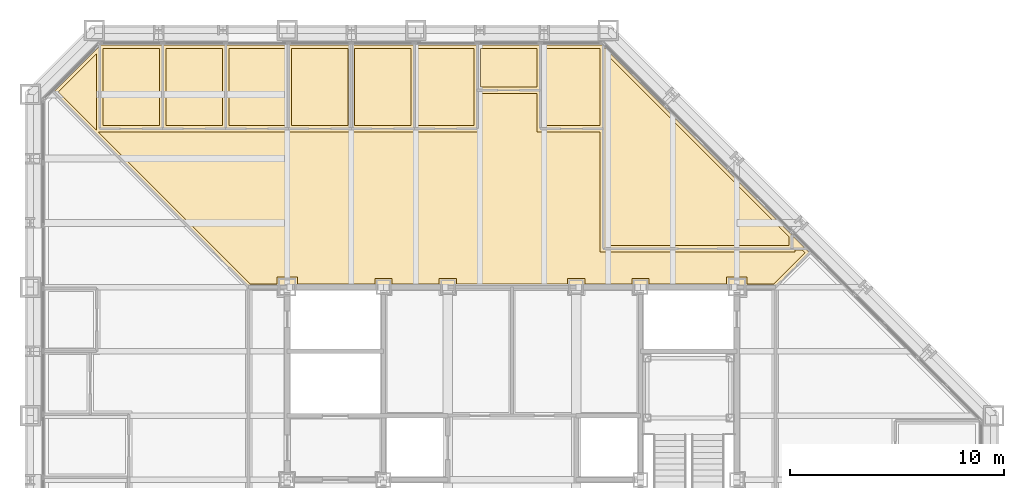
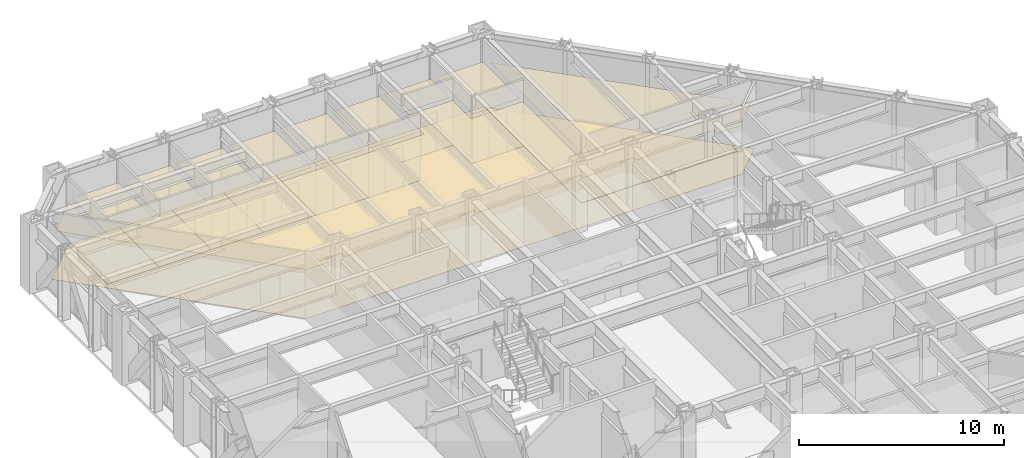
# One storey, part 17 of 17: 21 coverings.
"""IFC4 building model written with IfcOpenShell, lengths in metres."""

from ifc_helpers import new_model, si_unit, direction, frame, origin, place, context, subcontext, project, spatial, polyline, outline, extrude, material, layer, layer_set, type_object, element, save


model = new_model("IFC4")

# Units and contexts
model_context = context("Model", 3, precision=1e-05, world=origin(), true_north=direction((0.0, 1.0)))
body_context = subcontext(model_context, "Body", "Model", "MODEL_VIEW")
ifc_project = project(units=[si_unit("LENGTHUNIT", "METRE"), si_unit("AREAUNIT", "SQUARE_METRE"), si_unit("VOLUMEUNIT", "CUBIC_METRE"), si_unit("PLANEANGLEUNIT", "RADIAN"), si_unit("MASSUNIT", "GRAM", prefix="KILO")], contexts=[model_context])

# Site, building, storey
site_placement = place(None, origin())
site = spatial("IfcSite", under=ifc_project, at=site_placement, CompositionType="ELEMENT")
building_placement = place(site_placement, origin())
building = spatial("IfcBuilding", under=site, at=building_placement, Name="Chuquiago Exchange Tower", CompositionType="ELEMENT")
storey_placement = place(building_placement, frame((0.0, 0.0, 132.0)))
storey = spatial("IfcBuildingStorey", under=building, at=storey_placement, Name="L28", CompositionType="ELEMENT", Elevation=132.0)

# Coverings
ifc_material_1 = material(Name="Mineral fibre tile, 600 x 600, on pale metal grid", Category="mineral fibre")
ifc_layer_1 = layer(ifc_material_1, 0.02001953125)
ifc_layer_set_1 = layer_set([ifc_layer_1], Name="CL1 suspended tile ceiling 20")
covering_type_1 = type_object("IfcCoveringType", Name="CL1 suspended tile ceiling 20", PredefinedType="CEILING", material=ifc_layer_set_1)
covering_1_placement = place(storey_placement, frame((0.0, 0.0, 2.800048828125)))
element("IfcCovering", 1, at=covering_1_placement, inside=storey, type_object=covering_type_1, Name="Ceiling Compliance office", PredefinedType="CEILING", context=body_context, shape_type="SweptSolid", body=[
    extrude(outline(polyline([(6.036376953125, 44.14990234375), (6.036376953125, 40.550048828125), (3.3984375, 40.550048828125), (3.3984375, 44.14990234375), (6.036376953125, 44.14990234375)])), origin(), (0.0, 0.0, 1.0), 0.02001953125),
])
covering_2_placement = place(storey_placement, frame((0.0, 0.0, 2.800048828125)))
element("IfcCovering", 2, at=covering_2_placement, inside=storey, type_object=covering_type_1, Name="Ceiling Compliance office", PredefinedType="CEILING", context=body_context, shape_type="SweptSolid", body=[
    extrude(outline(polyline([(8.974365234375, 40.550048828125), (6.33642578125, 40.550048828125), (6.33642578125, 44.14990234375), (8.974365234375, 44.14990234375), (8.974365234375, 40.550048828125)])), origin(), (0.0, 0.0, 1.0), 0.02001953125),
])
covering_3_placement = place(storey_placement, frame((0.0, 0.0, 2.800048828125)))
element("IfcCovering", 3, at=covering_3_placement, inside=storey, type_object=covering_type_1, Name="Ceiling Compliance office", PredefinedType="CEILING", context=body_context, shape_type="SweptSolid", body=[
    extrude(outline(polyline([(11.912109375, 40.550048828125), (9.2744140625, 40.550048828125), (9.2744140625, 44.14990234375), (11.912109375, 44.14990234375), (11.912109375, 40.550048828125)])), origin(), (0.0, 0.0, 1.0), 0.02001953125),
])
covering_4_placement = place(storey_placement, frame((0.0, 0.0, 2.800048828125)))
element("IfcCovering", 4, at=covering_4_placement, inside=storey, type_object=covering_type_1, Name="Ceiling Office", PredefinedType="CEILING", context=body_context, shape_type="SweptSolid", body=[
    extrude(outline(polyline([(14.85009765625, 40.550048828125), (12.212158203125, 40.550048828125), (12.212158203125, 44.14990234375), (14.85009765625, 44.14990234375), (14.85009765625, 40.550048828125)])), origin(), (0.0, 0.0, 1.0), 0.02001953125),
])
covering_5_placement = place(storey_placement, frame((0.0, 0.0, 2.800048828125)))
element("IfcCovering", 5, at=covering_5_placement, inside=storey, type_object=covering_type_1, Name="Ceiling Office", PredefinedType="CEILING", context=body_context, shape_type="SweptSolid", body=[
    extrude(outline(polyline([(17.787841796875, 40.550048828125), (15.14990234375, 40.550048828125), (15.14990234375, 44.14990234375), (17.787841796875, 44.14990234375), (17.787841796875, 40.550048828125)])), origin(), (0.0, 0.0, 1.0), 0.02001953125),
])
covering_6_placement = place(storey_placement, frame((0.0, 0.0, 2.800048828125)))
element("IfcCovering", 6, at=covering_6_placement, inside=storey, type_object=covering_type_1, Name="Ceiling Meeting room", PredefinedType="CEILING", context=body_context, shape_type="SweptSolid", body=[
    extrude(outline(polyline([(20.7255859375, 40.550048828125), (18.087890625, 40.550048828125), (18.087890625, 44.14990234375), (20.7255859375, 44.14990234375), (20.7255859375, 40.550048828125)])), origin(), (0.0, 0.0, 1.0), 0.02001953125),
])
covering_7_placement = place(storey_placement, frame((0.0, 0.0, 2.800048828125)))
element("IfcCovering", 7, at=covering_7_placement, inside=storey, type_object=covering_type_1, Name="Ceiling Focus room", PredefinedType="CEILING", context=body_context, shape_type="SweptSolid", body=[
    extrude(outline(polyline([(23.66357421875, 42.35009765625), (21.025634765625, 42.35009765625), (21.025634765625, 44.14990234375), (23.66357421875, 44.14990234375), (23.66357421875, 42.35009765625)])), origin(), (0.0, 0.0, 1.0), 0.02001953125),
])
covering_8_placement = place(storey_placement, frame((0.0, 0.0, 2.800048828125)))
element("IfcCovering", 8, at=covering_8_placement, inside=storey, type_object=covering_type_1, Name="Ceiling Meeting room", PredefinedType="CEILING", context=body_context, shape_type="SweptSolid", body=[
    extrude(outline(polyline([(26.6015625, 40.550048828125), (23.963623046875, 40.550048828125), (23.963623046875, 44.14990234375), (26.6015625, 44.14990234375), (26.6015625, 40.550048828125)])), origin(), (0.0, 0.0, 1.0), 0.02001953125),
])
covering_9_placement = place(storey_placement, frame((0.0, 0.0, 2.800048828125)))
element("IfcCovering", 9, at=covering_9_placement, inside=storey, type_object=covering_type_1, Name="Ceiling Boardroom", PredefinedType="CEILING", context=body_context, shape_type="SweptSolid", body=[
    extrude(outline(polyline([(35.42578125, 34.949951171875), (26.901611328125, 34.949951171875), (26.901611328125, 43.896484375), (35.42578125, 35.372314453125), (35.42578125, 34.949951171875)])), origin(), (0.0, 0.0, 1.0), 0.02001953125),
])
covering_10_placement = place(storey_placement, frame((0.0, 0.0, 2.800048828125)))
element("IfcCovering", 10, at=covering_10_placement, inside=storey, type_object=covering_type_1, Name="Ceiling Open office north", PredefinedType="CEILING", context=body_context, shape_type="SweptSolid", body=[
    extrude(outline(polyline([(21.025634765625, 40.25), (21.025634765625, 42.050048828125), (23.66357421875, 42.050048828125), (23.66357421875, 40.25), (26.6015625, 40.25), (26.6015625, 34.64990234375), (35.7255859375, 34.64990234375), (35.7255859375, 34.72998046875), (36.068115234375, 34.72998046875), (36.192626953125, 34.60546875), (34.7373046875, 33.14990234375), (33.47509765625, 33.14990234375), (33.47509765625, 33.47509765625), (32.52490234375, 33.47509765625), (32.52490234375, 33.14990234375), (28.89990234375, 33.14990234375), (28.89990234375, 33.39990234375), (28.10009765625, 33.39990234375), (28.10009765625, 33.14990234375), (25.89990234375, 33.14990234375), (25.89990234375, 33.39990234375), (25.10009765625, 33.39990234375), (25.10009765625, 33.14990234375), (19.89990234375, 33.14990234375), (19.89990234375, 33.39990234375), (19.10009765625, 33.39990234375), (19.10009765625, 33.14990234375), (16.89990234375, 33.14990234375), (16.89990234375, 33.39990234375), (16.10009765625, 33.39990234375), (16.10009765625, 33.14990234375), (12.47509765625, 33.14990234375), (12.47509765625, 33.47509765625), (11.52490234375, 33.47509765625), (11.52490234375, 33.14990234375), (10.2626953125, 33.14990234375), (3.162841796875, 40.25), (21.025634765625, 40.25)])), origin(), (0.0, 0.0, 1.0), 0.02001953125),
])
covering_11_placement = place(storey_placement, frame((0.0, 0.0, 2.800048828125)))
element("IfcCovering", 11, at=covering_11_placement, inside=storey, type_object=covering_type_1, Name="Ceiling Open office north", PredefinedType="CEILING", context=body_context, shape_type="SweptSolid", body=[
    extrude(outline(polyline([(1.307373046875, 42.10546875), (3.098388671875, 43.896484375), (3.098388671875, 40.314208984375), (1.307373046875, 42.10546875)])), origin(), (0.0, 0.0, 1.0), 0.02001953125),
])
ifc_material_2 = material(Name="Carpet tile, 500 x 500, on the floor slab", Category="textile")
ifc_layer_2 = layer(ifc_material_2, 0.010009765625)
ifc_layer_set_2 = layer_set([ifc_layer_2], Name="FL1 carpet tile 10")
covering_type_2 = type_object("IfcCoveringType", Name="FL1 carpet tile 10", PredefinedType="FLOORING", material=ifc_layer_set_2)
covering_12_placement = place(storey_placement, origin())
element("IfcCovering", 12, at=covering_12_placement, inside=storey, type_object=covering_type_2, Name="Floor finish Compliance office", PredefinedType="FLOORING", context=body_context, shape_type="SweptSolid", body=[
    extrude(outline(polyline([(3.289794921875, 44.300048828125), (6.186279296875, 44.300048828125), (6.186279296875, 40.39990234375), (3.24853515625, 40.39990234375), (3.24853515625, 44.258544921875), (3.289794921875, 44.300048828125)])), origin(), (0.0, 0.0, 1.0), 0.010009765625),
])
covering_13_placement = place(storey_placement, origin())
element("IfcCovering", 13, at=covering_13_placement, inside=storey, type_object=covering_type_2, Name="Floor finish Compliance office", PredefinedType="FLOORING", context=body_context, shape_type="SweptSolid", body=[
    extrude(outline(polyline([(9.124267578125, 44.300048828125), (9.124267578125, 40.39990234375), (6.186279296875, 40.39990234375), (6.186279296875, 44.300048828125), (9.124267578125, 44.300048828125)])), origin(), (0.0, 0.0, 1.0), 0.010009765625),
])
covering_14_placement = place(storey_placement, origin())
element("IfcCovering", 14, at=covering_14_placement, inside=storey, type_object=covering_type_2, Name="Floor finish Compliance office", PredefinedType="FLOORING", context=body_context, shape_type="SweptSolid", body=[
    extrude(outline(polyline([(12.06201171875, 44.300048828125), (12.06201171875, 40.39990234375), (9.124267578125, 40.39990234375), (9.124267578125, 44.300048828125), (12.06201171875, 44.300048828125)])), origin(), (0.0, 0.0, 1.0), 0.010009765625),
])
covering_15_placement = place(storey_placement, origin())
element("IfcCovering", 15, at=covering_15_placement, inside=storey, type_object=covering_type_2, Name="Floor finish Office", PredefinedType="FLOORING", context=body_context, shape_type="SweptSolid", body=[
    extrude(outline(polyline([(15.0, 44.300048828125), (15.0, 40.39990234375), (12.06201171875, 40.39990234375), (12.06201171875, 44.300048828125), (15.0, 44.300048828125)])), origin(), (0.0, 0.0, 1.0), 0.010009765625),
])
covering_16_placement = place(storey_placement, origin())
element("IfcCovering", 16, at=covering_16_placement, inside=storey, type_object=covering_type_2, Name="Floor finish Office", PredefinedType="FLOORING", context=body_context, shape_type="SweptSolid", body=[
    extrude(outline(polyline([(17.93798828125, 44.300048828125), (17.93798828125, 40.39990234375), (15.0, 40.39990234375), (15.0, 44.300048828125), (17.93798828125, 44.300048828125)])), origin(), (0.0, 0.0, 1.0), 0.010009765625),
])
covering_17_placement = place(storey_placement, origin())
element("IfcCovering", 17, at=covering_17_placement, inside=storey, type_object=covering_type_2, Name="Floor finish Meeting room", PredefinedType="FLOORING", context=body_context, shape_type="SweptSolid", body=[
    extrude(outline(polyline([(20.875732421875, 44.300048828125), (20.875732421875, 40.39990234375), (17.93798828125, 40.39990234375), (17.93798828125, 44.300048828125), (20.875732421875, 44.300048828125)])), origin(), (0.0, 0.0, 1.0), 0.010009765625),
])
covering_18_placement = place(storey_placement, origin())
element("IfcCovering", 18, at=covering_18_placement, inside=storey, type_object=covering_type_2, Name="Floor finish Focus room", PredefinedType="FLOORING", context=body_context, shape_type="SweptSolid", body=[
    extrude(outline(polyline([(23.813720703125, 44.300048828125), (23.813720703125, 42.199951171875), (20.875732421875, 42.199951171875), (20.875732421875, 44.300048828125), (23.813720703125, 44.300048828125)])), origin(), (0.0, 0.0, 1.0), 0.010009765625),
])
covering_19_placement = place(storey_placement, origin())
element("IfcCovering", 19, at=covering_19_placement, inside=storey, type_object=covering_type_2, Name="Floor finish Meeting room", PredefinedType="FLOORING", context=body_context, shape_type="SweptSolid", body=[
    extrude(outline(polyline([(26.710205078125, 44.300048828125), (26.75146484375, 44.258544921875), (26.75146484375, 40.39990234375), (23.813720703125, 40.39990234375), (23.813720703125, 44.300048828125), (26.710205078125, 44.300048828125)])), origin(), (0.0, 0.0, 1.0), 0.010009765625),
])
covering_20_placement = place(storey_placement, origin())
element("IfcCovering", 20, at=covering_20_placement, inside=storey, type_object=covering_type_2, Name="Floor finish Boardroom", PredefinedType="FLOORING", context=body_context, shape_type="SweptSolid", body=[
    extrude(outline(polyline([(35.57568359375, 35.434326171875), (35.57568359375, 34.800048828125), (26.75146484375, 34.800048828125), (26.75146484375, 44.258544921875), (35.57568359375, 35.434326171875)])), origin(), (0.0, 0.0, 1.0), 0.010009765625),
])
covering_21_placement = place(storey_placement, origin())
element("IfcCovering", 21, at=covering_21_placement, inside=storey, type_object=covering_type_2, Name="Floor finish Open office north", PredefinedType="FLOORING", context=body_context, shape_type="SweptSolid", body=[
    extrude(outline(polyline([(3.24853515625, 44.258544921875), (3.24853515625, 40.39990234375), (20.875732421875, 40.39990234375), (20.875732421875, 42.199951171875), (23.813720703125, 42.199951171875), (23.813720703125, 40.39990234375), (26.75146484375, 40.39990234375), (26.75146484375, 34.800048828125), (35.57568359375, 34.800048828125), (35.57568359375, 35.434326171875), (36.40478515625, 34.60546875), (34.799560546875, 33.0), (10.200439453125, 33.0), (1.09521484375, 42.10546875), (3.289794921875, 44.300048828125), (3.24853515625, 44.258544921875)])), origin(), (0.0, 0.0, 1.0), 0.010009765625),
])

save(model, "model.ifc")
